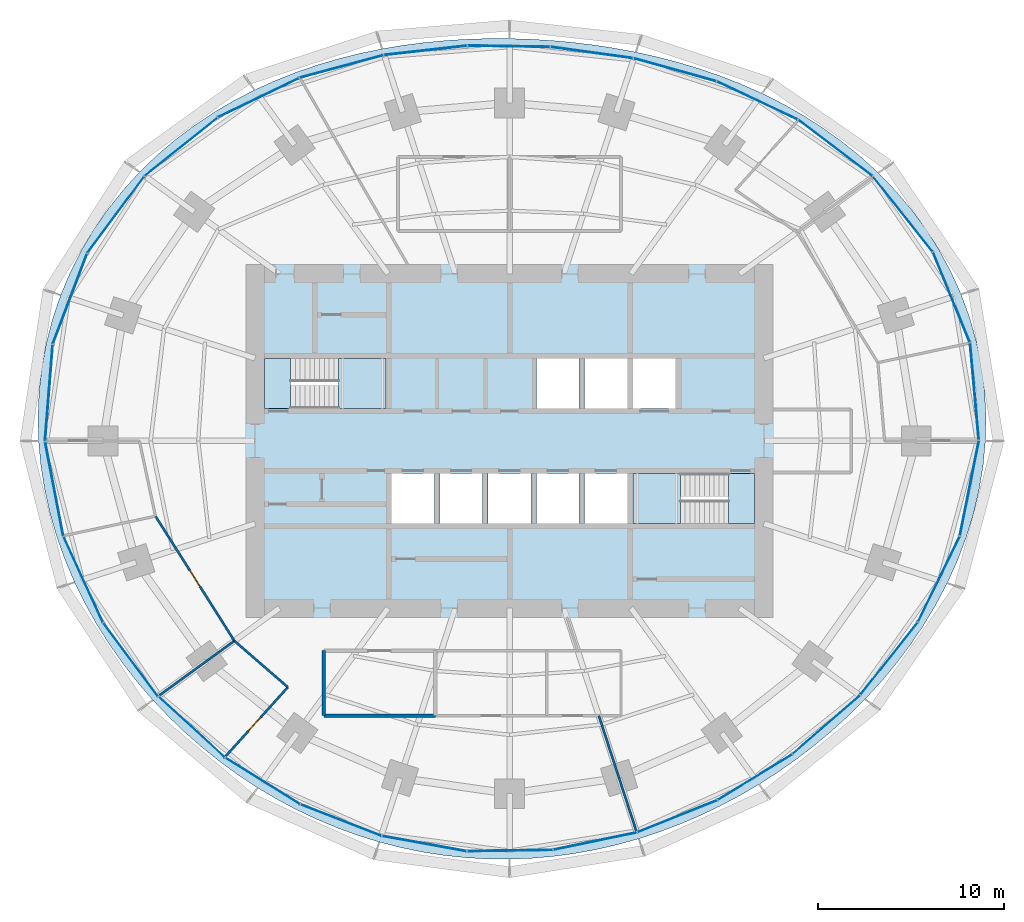
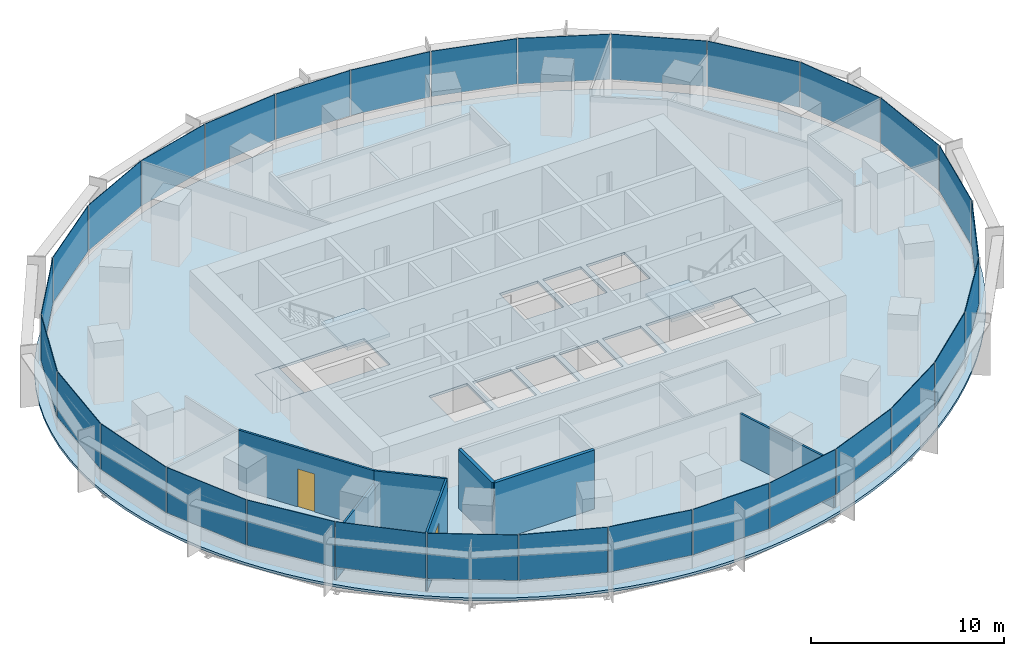
# One storey, part 9 of 14: 30 plates, 7 walls, 5 slabs, 2 doors, 2 openings, 8 elements without a shape of their own.
"""IFC4 building model written with IfcOpenShell, lengths in metres."""

from ifc_helpers import new_model, si_unit, direction, frame, frame_2d, origin, origin_2d, place, context, subcontext, project, spatial, polyline, rectangle, outline, extrude, material, layer, layer_set, type_object, element, fill, aggregate, save


model = new_model("IFC4")

# Units and contexts
model_context = context("Model", 3, precision=1e-05, world=origin(), true_north=direction((0.0, 1.0)))
body_context = subcontext(model_context, "Body", "Model", "MODEL_VIEW")
ifc_project = project(units=[si_unit("LENGTHUNIT", "METRE"), si_unit("AREAUNIT", "SQUARE_METRE"), si_unit("VOLUMEUNIT", "CUBIC_METRE"), si_unit("PLANEANGLEUNIT", "RADIAN"), si_unit("MASSUNIT", "GRAM", prefix="KILO")], contexts=[model_context])

# Site, building, storey
site_placement = place(None, origin())
site = spatial("IfcSite", under=ifc_project, at=site_placement, CompositionType="ELEMENT")
building_placement = place(site_placement, origin())
building = spatial("IfcBuilding", under=site, at=building_placement, Name="Marramba Exchange Tower", CompositionType="ELEMENT")
storey_placement = place(building_placement, frame((0.0, 0.0, 96.300048828125)))
storey = spatial("IfcBuildingStorey", under=building, at=storey_placement, Name="L22", CompositionType="ELEMENT", Elevation=96.300048828125)

# Slab
ifc_material_1 = material(Name="Concrete N40", Category="concrete")
ifc_layer_1 = layer(ifc_material_1, 0.159912109375)
ifc_layer_set_1 = layer_set([ifc_layer_1], Name="Composite floor slab 160")
slab_type_1 = type_object("IfcSlabType", Name="Composite floor slab 160", PredefinedType="FLOOR", material=ifc_layer_set_1)
slab_1_placement = place(storey_placement, frame((0.0, 0.0, -0.16015625)))
element("IfcSlab", 1, at=slab_1_placement, inside=storey, type_object=slab_type_1, Name="Floor slab L22", PredefinedType="FLOOR", context=body_context, shape_type="SweptSolid", body=[
    extrude(outline(polyline([(25.632080078125, 0.0), (25.66064453125, 1.3447265625), (25.59033203125, 2.689697265625), (25.420166015625, 4.026123046875), (25.15087890625, 5.345947265625), (24.7841796875, 6.640869140625), (24.322998046875, 7.903076171875), (23.771484375, 9.125), (23.135009765625, 10.30029296875), (22.419677734375, 11.42333984375), (21.632080078125, 12.4892578125), (20.779541015625, 13.494384765625), (19.869384765625, 14.43603515625), (18.9091796875, 15.3125), (17.90625, 16.122802734375), (16.86767578125, 16.86767578125), (15.800048828125, 17.5478515625), (14.70947265625, 18.164794921875), (13.6015625, 18.720947265625), (12.48095703125, 19.218994140625), (11.3515625, 19.66162109375), (10.217041015625, 20.05224609375), (9.079833984375, 20.393798828125), (7.94189453125, 20.689453125), (6.804443359375, 20.942138671875), (5.668212890625, 21.154296875), (4.533447265625, 21.328369140625), (3.39990234375, 21.46630859375), (2.26708984375, 21.5693359375), (1.134033203125, 21.63818359375), (0.0, 21.673095703125), (-1.135986328125, 21.673828125), (-2.2744140625, 21.6396484375), (-3.416259765625, 21.5693359375), (-4.5615234375, 21.460693359375), (-5.71044921875, 21.31201171875), (-6.8623046875, 21.1201171875), (-8.01611328125, 20.8828125), (-9.170166015625, 20.5966796875), (-10.322509765625, 20.2587890625), (-11.4697265625, 19.8662109375), (-12.60888671875, 19.415771484375), (-13.7353515625, 18.905029296875), (-14.8447265625, 18.331787109375), (-15.931640625, 17.69384765625), (-16.989990234375, 16.989990234375), (-18.013916015625, 16.2197265625), (-18.996826171875, 15.38330078125), (-19.931884765625, 14.4814453125), (-20.8125, 13.515869140625), (-21.632080078125, 12.4892578125), (-22.384033203125, 11.4052734375), (-23.0625, 10.26806640625), (-23.661865234375, 9.0830078125), (-24.177734375, 7.855712890625), (-24.605712890625, 6.593017578125), (-24.943603515625, 5.302001953125), (-25.18896484375, 3.989501953125), (-25.341064453125, 2.663330078125), (-25.400390625, 1.3310546875), (-25.367919921875, 0.0), (-25.246337890625, -1.322998046875), (-25.038818359375, -2.631591796875), (-24.748779296875, -3.919921875), (-24.381103515625, -5.182373046875), (-23.940185546875, -6.414794921875), (-23.431396484375, -7.61328125), (-22.859130859375, -8.77490234375), (-22.22900390625, -9.89697265625), (-21.545166015625, -10.977783203125), (-20.81201171875, -12.015869140625), (-20.033935546875, -13.010009765625), (-19.2138671875, -13.959716796875), (-18.35546875, -14.86376953125), (-17.461181640625, -15.72216796875), (-16.53369140625, -16.53369140625), (-15.5751953125, -17.298095703125), (-14.587646484375, -18.014404296875), (-13.5732421875, -18.681884765625), (-12.533203125, -19.299560546875), (-11.4697265625, -19.8662109375), (-10.384765625, -20.381103515625), (-9.27978515625, -20.8427734375), (-8.157470703125, -21.250732421875), (-7.019287109375, -21.603271484375), (-5.8681640625, -21.900146484375), (-4.7060546875, -22.14013671875), (-3.53564453125, -22.322998046875), (-2.359375, -22.448486328125), (-1.179931640625, -22.516357421875), (0.0, -22.52685546875), (1.17822265625, -22.480712890625), (2.35205078125, -22.3779296875), (3.519287109375, -22.22021484375), (4.677978515625, -22.0078125), (5.825927734375, -21.742431640625), (6.96142578125, -21.425048828125), (8.0830078125, -21.05712890625), (9.189453125, -20.639892578125), (10.279296875, -20.17431640625), (11.3515625, -19.66162109375), (12.4052734375, -19.1025390625), (13.439453125, -18.497802734375), (14.45263671875, -17.847412109375), (15.44384765625, -17.152099609375), (16.411376953125, -16.411376953125), (17.353515625, -15.625244140625), (18.267822265625, -14.79296875), (19.1513671875, -13.914306640625), (20.000732421875, -12.98876953125), (20.81201171875, -12.015869140625), (21.580810546875, -10.995849609375), (22.301513671875, -9.92919921875), (22.96875, -8.81689453125), (23.57666015625, -7.660400390625), (24.11865234375, -6.462646484375), (24.588623046875, -5.2265625), (24.980224609375, -3.95654296875), (25.2880859375, -2.657958984375), (25.5068359375, -1.336669921875), (25.632080078125, 0.0)]), holes=[polyline([(1.449951171875, 1.75), (3.75, 1.75), (3.75, 4.449951171875), (1.449951171875, 4.449951171875), (1.449951171875, 1.75)]), polyline([(4.050048828125, 1.75), (6.35009765625, 1.75), (6.35009765625, 4.449951171875), (4.050048828125, 4.449951171875), (4.050048828125, 1.75)]), polyline([(-6.35009765625, -4.449951171875), (-4.050048828125, -4.449951171875), (-4.050048828125, -1.75), (-6.35009765625, -1.75), (-6.35009765625, -4.449951171875)]), polyline([(-3.75, -4.449951171875), (-1.449951171875, -4.449951171875), (-1.449951171875, -1.75), (-3.75, -1.75), (-3.75, -4.449951171875)]), polyline([(-1.14990234375, -4.449951171875), (1.14990234375, -4.449951171875), (1.14990234375, -1.75), (-1.14990234375, -1.75), (-1.14990234375, -4.449951171875)]), polyline([(1.449951171875, -4.449951171875), (3.75, -4.449951171875), (3.75, -1.75), (1.449951171875, -1.75), (1.449951171875, -4.449951171875)]), polyline([(4.050048828125, -4.449951171875), (6.35009765625, -4.449951171875), (6.35009765625, -1.75), (4.050048828125, -1.75), (4.050048828125, -4.449951171875)]), polyline([(6.64990234375, 1.75), (8.949951171875, 1.75), (8.949951171875, 4.449951171875), (6.64990234375, 4.449951171875), (6.64990234375, 1.75)]), polyline([(-13.199951171875, 1.75), (-6.64990234375, 1.75), (-6.64990234375, 4.449951171875), (-13.199951171875, 4.449951171875), (-13.199951171875, 1.75)]), polyline([(6.64990234375, -4.449951171875), (13.199951171875, -4.449951171875), (13.199951171875, -1.75), (6.64990234375, -1.75), (6.64990234375, -4.449951171875)])]), origin(), (0.0, 0.0, 1.0), 0.16015625),
])

# Curtain wall, plates
ifc_material_2 = material(Name="Aluminium framing, bronze anodised", Category="aluminium")
curtain_wall_type = type_object("IfcCurtainWallType", Name="Office ribbon curtain wall", PredefinedType="USERDEFINED", material=ifc_material_2)
curtain_wall_1_placement = place(storey_placement, origin())
curtain_wall_1 = element("IfcCurtainWall", 2, at=curtain_wall_1_placement, inside=storey, type_object=curtain_wall_type, Name="Curtain wall CW4 L22 F01-F05", ObjectType="RIBBON CURTAIN WALL", PredefinedType="USERDEFINED")
ifc_material_3 = material(Name="Laminated double glazed unit 10.76 + 16 + 10.76, bronze tinted", Category="glass")
ifc_layer_2 = layer(ifc_material_3, 0.03759765625)
ifc_layer_set_2 = layer_set([ifc_layer_2], Name="Office ribbon curtain wall panel")
plate_type = type_object("IfcPlateType", Name="Office ribbon curtain wall panel", PredefinedType="CURTAIN_PANEL", material=ifc_layer_set_2)
plate_1_placement = place(storey_placement, frame((25.042724609375, 2.66650390625, 0.860107421875), z_axis=(0.0, 0.0, 1.0), x_axis=(-0.089412887889, 0.995994646311, 0.0)))
plate_1 = element("IfcPlate", 3, at=plate_1_placement, type_object=plate_type, Name="CW4 vision panel", PredefinedType="CURTAIN_PANEL", context=body_context, shape_type="SweptSolid", body=[
    extrude(rectangle(XDim=5.234375, YDim=0.03759765625, at=origin_2d()), origin(), (0.0, 0.0, 1.0), 2.8798828125),
])
plate_2_placement = place(storey_placement, frame((23.800537109375, 7.743408203125, 0.860107421875), z_axis=(0.0, 0.0, 1.0), x_axis=(-0.377821183171, 0.925878584668, 0.0)))
plate_2 = element("IfcPlate", 4, at=plate_2_placement, type_object=plate_type, Name="CW4 vision panel", PredefinedType="CURTAIN_PANEL", context=body_context, shape_type="SweptSolid", body=[
    extrude(rectangle(XDim=5.2158203125, YDim=0.03759765625, at=origin_2d()), origin(), (0.0, 0.0, 1.0), 2.8798828125),
])
plate_3_placement = place(storey_placement, frame((21.18212890625, 12.217529296875, 0.860107421875), z_axis=(0.0, 0.0, 1.0), x_axis=(-0.621312004611, 0.783563266703, 0.0)))
plate_3 = element("IfcPlate", 5, at=plate_3_placement, type_object=plate_type, Name="CW4 vision panel", PredefinedType="CURTAIN_PANEL", context=body_context, shape_type="SweptSolid", body=[
    extrude(rectangle(XDim=5.136962890625, YDim=0.03759765625, at=origin_2d()), origin(), (0.0, 0.0, 1.0), 2.8798828125),
])
plate_4_placement = place(storey_placement, frame((17.55224609375, 15.777099609375, 0.860107421875), z_axis=(0.0, 0.0, 1.0), x_axis=(-0.795971748366, 0.60533377223, 0.0)))
plate_4 = element("IfcPlate", 6, at=plate_4_placement, type_object=plate_type, Name="CW4 vision panel", PredefinedType="CURTAIN_PANEL", context=body_context, shape_type="SweptSolid", body=[
    extrude(rectangle(XDim=4.990966796875, YDim=0.03759765625, at=origin_2d()), origin(), (0.0, 0.0, 1.0), 2.8798828125),
])
plate_5_placement = place(storey_placement, frame((13.34423828125, 18.3359375, 0.860107421875), z_axis=(0.0, 0.0, 1.0), x_axis=(-0.904403137485, 0.426678995157, 0.0)))
plate_5 = element("IfcPlate", 7, at=plate_5_placement, type_object=plate_type, Name="CW4 vision panel", PredefinedType="CURTAIN_PANEL", context=body_context, shape_type="SweptSolid", body=[
    extrude(rectangle(XDim=4.793212890625, YDim=0.03759765625, at=origin_2d()), origin(), (0.0, 0.0, 1.0), 2.8798828125),
])
aggregate(curtain_wall_1, [plate_1, plate_2, plate_3, plate_4, plate_5])

curtain_wall_2_placement = place(storey_placement, origin())
curtain_wall_2 = element("IfcCurtainWall", 8, at=curtain_wall_2_placement, inside=storey, type_object=curtain_wall_type, Name="Curtain wall CW4 L22 F06-F10", ObjectType="RIBBON CURTAIN WALL", PredefinedType="USERDEFINED")
plate_6_placement = place(storey_placement, frame((8.907470703125, 19.991943359375, 0.860107421875), z_axis=(0.0, 0.0, 1.0), x_axis=(-0.963177845956, 0.268865090816, 0.0)))
plate_6 = element("IfcPlate", 9, at=plate_6_placement, type_object=plate_type, Name="CW4 vision panel", PredefinedType="CURTAIN_PANEL", context=body_context, shape_type="SweptSolid", body=[
    extrude(rectangle(XDim=4.591552734375, YDim=0.03759765625, at=origin_2d()), origin(), (0.0, 0.0, 1.0), 2.8798828125),
])
plate_7_placement = place(storey_placement, frame((4.43359375, 20.919189453125, 0.860107421875), z_axis=(0.0, 0.0, 1.0), x_axis=(-0.990738212841, 0.135785837319, 0.0)))
plate_7 = element("IfcPlate", 10, at=plate_7_placement, type_object=plate_type, Name="CW4 vision panel", PredefinedType="CURTAIN_PANEL", context=body_context, shape_type="SweptSolid", body=[
    extrude(rectangle(XDim=4.447509765625, YDim=0.03759765625, at=origin_2d()), origin(), (0.0, 0.0, 1.0), 2.8798828125),
])
plate_8_placement = place(storey_placement, frame((-0.03369140625, 21.2568359375, 0.860107421875), z_axis=(0.0, 0.0, 1.0), x_axis=(-0.999875869968, 0.01575578169, 0.0)))
plate_8 = element("IfcPlate", 11, at=plate_8_placement, type_object=plate_type, Name="CW4 vision panel", PredefinedType="CURTAIN_PANEL", context=body_context, shape_type="SweptSolid", body=[
    extrude(rectangle(XDim=4.408935546875, YDim=0.03759765625, at=origin_2d()), origin(), (0.0, 0.0, 1.0), 2.8798828125),
])
plate_9_placement = place(storey_placement, frame((-4.52587890625, 21.0361328125, 0.860107421875), z_axis=(0.0, 0.0, 1.0), x_axis=(-0.993823395532, -0.110973233233, 0.0)))
plate_9 = element("IfcPlate", 12, at=plate_9_placement, type_object=plate_type, Name="CW4 vision panel", PredefinedType="CURTAIN_PANEL", context=body_context, shape_type="SweptSolid", body=[
    extrude(rectangle(XDim=4.484375, YDim=0.03759765625, at=origin_2d()), origin(), (0.0, 0.0, 1.0), 2.8798828125),
])
plate_10_placement = place(storey_placement, frame((-9.053466796875, 20.16748046875, 0.860107421875), z_axis=(0.0, 0.0, 1.0), x_axis=(-0.965522047176, -0.260321294588, 0.0)))
plate_10 = element("IfcPlate", 13, at=plate_10_placement, type_object=plate_type, Name="CW4 vision panel", PredefinedType="CURTAIN_PANEL", context=body_context, shape_type="SweptSolid", body=[
    extrude(rectangle(XDim=4.642578125, YDim=0.03759765625, at=origin_2d()), origin(), (0.0, 0.0, 1.0), 2.8798828125),
])
aggregate(curtain_wall_2, [plate_6, plate_7, plate_8, plate_9, plate_10])

curtain_wall_3_placement = place(storey_placement, origin())
curtain_wall_3 = element("IfcCurtainWall", 14, at=curtain_wall_3_placement, inside=storey, type_object=curtain_wall_type, Name="Curtain wall CW4 L22 F11-F15", ObjectType="RIBBON CURTAIN WALL", PredefinedType="USERDEFINED")
plate_11_placement = place(storey_placement, frame((-13.52294921875, 18.4853515625, 0.860107421875), z_axis=(0.0, 0.0, 1.0), x_axis=(-0.900223739881, -0.435427626771, 0.0)))
plate_11 = element("IfcPlate", 15, at=plate_11_placement, type_object=plate_type, Name="CW4 vision panel", PredefinedType="CURTAIN_PANEL", context=body_context, shape_type="SweptSolid", body=[
    extrude(rectangle(XDim=4.83056640625, YDim=0.03759765625, at=origin_2d()), origin(), (0.0, 0.0, 1.0), 2.8798828125),
])
plate_12_placement = place(storey_placement, frame((-17.696533203125, 15.8359375, 0.860107421875), z_axis=(0.0, 0.0, 1.0), x_axis=(-0.78117833008, -0.624307950145, 0.0)))
plate_12 = element("IfcPlate", 16, at=plate_12_placement, type_object=plate_type, Name="CW4 vision panel", PredefinedType="CURTAIN_PANEL", context=body_context, shape_type="SweptSolid", body=[
    extrude(rectangle(XDim=4.998291015625, YDim=0.03759765625, at=origin_2d()), origin(), (0.0, 0.0, 1.0), 2.8798828125),
])
plate_13_placement = place(storey_placement, frame((-21.213623046875, 12.1767578125, 0.860107421875), z_axis=(0.0, 0.0, 1.0), x_axis=(-0.597703997504, -0.80171686484, 0.0)))
plate_13 = element("IfcPlate", 17, at=plate_13_placement, type_object=plate_type, Name="CW4 vision panel", PredefinedType="CURTAIN_PANEL", context=body_context, shape_type="SweptSolid", body=[
    extrude(rectangle(XDim=5.116455078125, YDim=0.03759765625, at=origin_2d()), origin(), (0.0, 0.0, 1.0), 2.8798828125),
])
plate_14_placement = place(storey_placement, frame((-23.6826171875, 7.6494140625, 0.860107421875), z_axis=(0.0, 0.0, 1.0), x_axis=(-0.354844468484, -0.934925346317, 0.0)))
plate_14 = element("IfcPlate", 18, at=plate_14_placement, type_object=plate_type, Name="CW4 vision panel", PredefinedType="CURTAIN_PANEL", context=body_context, shape_type="SweptSolid", body=[
    extrude(rectangle(XDim=5.177490234375, YDim=0.03759765625, at=origin_2d()), origin(), (0.0, 0.0, 1.0), 2.8798828125),
])
plate_15_placement = place(storey_placement, frame((-24.81201171875, 2.584716796875, 0.860107421875), z_axis=(0.0, 0.0, 1.0), x_axis=(-0.079459696383, -0.996838079455, 0.0)))
plate_15 = element("IfcPlate", 19, at=plate_15_placement, type_object=plate_type, Name="CW4 vision panel", PredefinedType="CURTAIN_PANEL", context=body_context, shape_type="SweptSolid", body=[
    extrude(rectangle(XDim=5.185791015625, YDim=0.03759765625, at=origin_2d()), origin(), (0.0, 0.0, 1.0), 2.8798828125),
])
aggregate(curtain_wall_3, [plate_11, plate_12, plate_13, plate_14, plate_15])

curtain_wall_4_placement = place(storey_placement, origin())
curtain_wall_4 = element("IfcCurtainWall", 20, at=curtain_wall_4_placement, inside=storey, type_object=curtain_wall_type, Name="Curtain wall CW4 L22 F16-F20", ObjectType="RIBBON CURTAIN WALL", PredefinedType="USERDEFINED")
plate_16_placement = place(storey_placement, frame((-24.522705078125, -2.584228515625, 0.860107421875), z_axis=(0.0, 0.0, 1.0), x_axis=(0.18822721487, -0.982125509078, 0.0)))
plate_16 = element("IfcPlate", 21, at=plate_16_placement, type_object=plate_type, Name="CW4 vision panel", PredefinedType="CURTAIN_PANEL", context=body_context, shape_type="SweptSolid", body=[
    extrude(rectangle(XDim=5.142578125, YDim=0.03759765625, at=origin_2d()), origin(), (0.0, 0.0, 1.0), 2.8798828125),
])
plate_17_placement = place(storey_placement, frame((-22.96142578125, -7.45947265625, 0.860107421875), z_axis=(0.0, 0.0, 1.0), x_axis=(0.416737848929, -0.909026713177, 0.0)))
plate_17 = element("IfcPlate", 22, at=plate_17_placement, type_object=plate_type, Name="CW4 vision panel", PredefinedType="CURTAIN_PANEL", context=body_context, shape_type="SweptSolid", body=[
    extrude(rectangle(XDim=5.0498046875, YDim=0.03759765625, at=origin_2d()), origin(), (0.0, 0.0, 1.0), 2.8798828125),
])
plate_18_placement = place(storey_placement, frame((-20.402099609375, -11.7783203125, 0.860107421875), z_axis=(0.0, 0.0, 1.0), x_axis=(0.597304697033, -0.802014400683, 0.0)))
plate_18 = element("IfcPlate", 23, at=plate_18_placement, type_object=plate_type, Name="CW4 vision panel", PredefinedType="CURTAIN_PANEL", context=body_context, shape_type="SweptSolid", body=[
    extrude(rectangle(XDim=4.926513671875, YDim=0.03759765625, at=origin_2d()), origin(), (0.0, 0.0, 1.0), 2.8798828125),
])
plate_19_placement = place(storey_placement, frame((-17.11376953125, -15.416259765625, 0.860107421875), z_axis=(0.0, 0.0, 1.0), x_axis=(0.737821886077, -0.674995455115, 0.0)))
plate_19 = element("IfcPlate", 24, at=plate_19_placement, type_object=plate_type, Name="CW4 vision panel", PredefinedType="CURTAIN_PANEL", context=body_context, shape_type="SweptSolid", body=[
    extrude(rectangle(XDim=4.80517578125, YDim=0.03759765625, at=origin_2d()), origin(), (0.0, 0.0, 1.0), 2.8798828125),
])
plate_20_placement = place(storey_placement, frame((-13.29248046875, -18.31640625, 0.860107421875), z_axis=(0.0, 0.0, 1.0), x_axis=(0.84835459748, -0.52942844364, 0.0)))
plate_20 = element("IfcPlate", 25, at=plate_20_placement, type_object=plate_type, Name="CW4 vision panel", PredefinedType="CURTAIN_PANEL", context=body_context, shape_type="SweptSolid", body=[
    extrude(rectangle(XDim=4.70947265625, YDim=0.03759765625, at=origin_2d()), origin(), (0.0, 0.0, 1.0), 2.8798828125),
])
aggregate(curtain_wall_4, [plate_16, plate_17, plate_18, plate_19, plate_20])

curtain_wall_5_placement = place(storey_placement, origin())
curtain_wall_5 = element("IfcCurtainWall", 26, at=curtain_wall_5_placement, inside=storey, type_object=curtain_wall_type, Name="Curtain wall CW4 L22 F21-F25", ObjectType="RIBBON CURTAIN WALL", PredefinedType="USERDEFINED")
plate_21_placement = place(storey_placement, frame((-9.074951171875, -20.427734375, 0.860107421875), z_axis=(0.0, 0.0, 1.0), x_axis=(0.931818390344, -0.36292490603, 0.0)))
plate_21 = element("IfcPlate", 27, at=plate_21_placement, type_object=plate_type, Name="CW4 vision panel", PredefinedType="CURTAIN_PANEL", context=body_context, shape_type="SweptSolid", body=[
    extrude(rectangle(XDim=4.644287109375, YDim=0.03759765625, at=origin_2d()), origin(), (0.0, 0.0, 1.0), 2.8798828125),
])
plate_22_placement = place(storey_placement, frame((-4.58740234375, -21.690673828125, 0.860107421875), z_axis=(0.0, 0.0, 1.0), x_axis=(0.984031865834, -0.177992379115, 0.0)))
plate_22 = element("IfcPlate", 28, at=plate_22_placement, type_object=plate_type, Name="CW4 vision panel", PredefinedType="CURTAIN_PANEL", context=body_context, shape_type="SweptSolid", body=[
    extrude(rectangle(XDim=4.602783203125, YDim=0.03759765625, at=origin_2d()), origin(), (0.0, 0.0, 1.0), 2.8798828125),
])
plate_23_placement = place(storey_placement, frame((0.0263671875, -22.064697265625, 0.860107421875), z_axis=(0.0, 0.0, 1.0), x_axis=(0.999884797709, 0.015178646521, 0.0)))
plate_23 = element("IfcPlate", 29, at=plate_23_placement, type_object=plate_type, Name="CW4 vision panel", PredefinedType="CURTAIN_PANEL", context=body_context, shape_type="SweptSolid", body=[
    extrude(rectangle(XDim=4.578857421875, YDim=0.03759765625, at=origin_2d()), origin(), (0.0, 0.0, 1.0), 2.8798828125),
])
plate_24_placement = place(storey_placement, frame((4.61376953125, -21.554931640625, 0.860107421875), z_axis=(0.0, 0.0, 1.0), x_axis=(0.979310199794, 0.202364850159, 0.0)))
plate_24 = element("IfcPlate", 30, at=plate_24_placement, type_object=plate_type, Name="CW4 vision panel", PredefinedType="CURTAIN_PANEL", context=body_context, shape_type="SweptSolid", body=[
    extrude(rectangle(XDim=4.57373046875, YDim=0.03759765625, at=origin_2d()), origin(), (0.0, 0.0, 1.0), 2.8798828125),
])
plate_25_placement = place(storey_placement, frame((9.042724609375, -20.214111328125, 0.860107421875), z_axis=(0.0, 0.0, 1.0), x_axis=(0.928148916059, 0.372209067082, 0.0)))
plate_25 = element("IfcPlate", 31, at=plate_25_placement, type_object=plate_type, Name="CW4 vision panel", PredefinedType="CURTAIN_PANEL", context=body_context, shape_type="SweptSolid", body=[
    extrude(rectangle(XDim=4.59814453125, YDim=0.03759765625, at=origin_2d()), origin(), (0.0, 0.0, 1.0), 2.8798828125),
])
aggregate(curtain_wall_5, [plate_21, plate_22, plate_23, plate_24, plate_25])

curtain_wall_6_placement = place(storey_placement, origin())
curtain_wall_6 = element("IfcCurtainWall", 32, at=curtain_wall_6_placement, inside=storey, type_object=curtain_wall_type, Name="Curtain wall CW4 L22 F26-F30", ObjectType="RIBBON CURTAIN WALL", PredefinedType="USERDEFINED")
plate_26_placement = place(storey_placement, frame((13.21875, -18.109619140625, 0.860107421875), z_axis=(0.0, 0.0, 1.0), x_axis=(0.853109114492, 0.521732535664, 0.0)))
plate_26 = element("IfcPlate", 33, at=plate_26_placement, type_object=plate_type, Name="CW4 vision panel", PredefinedType="CURTAIN_PANEL", context=body_context, shape_type="SweptSolid", body=[
    extrude(rectangle(XDim=4.66748046875, YDim=0.03759765625, at=origin_2d()), origin(), (0.0, 0.0, 1.0), 2.8798828125),
])
plate_27_placement = place(storey_placement, frame((17.0615234375, -15.280517578125, 0.860107421875), z_axis=(0.0, 0.0, 1.0), x_axis=(0.754385506384, 0.656431647438, 0.0)))
plate_27 = element("IfcPlate", 34, at=plate_27_placement, type_object=plate_type, Name="CW4 vision panel", PredefinedType="CURTAIN_PANEL", context=body_context, shape_type="SweptSolid", body=[
    extrude(rectangle(XDim=4.789794921875, YDim=0.03759765625, at=origin_2d()), origin(), (0.0, 0.0, 1.0), 2.8798828125),
])
plate_28_placement = place(storey_placement, frame((20.443603515625, -11.724365234375, 0.860107421875), z_axis=(0.0, 0.0, 1.0), x_axis=(0.621807472329, 0.783170139469, 0.0)))
plate_28 = element("IfcPlate", 35, at=plate_28_placement, type_object=plate_type, Name="CW4 vision panel", PredefinedType="CURTAIN_PANEL", context=body_context, shape_type="SweptSolid", body=[
    extrude(rectangle(XDim=4.947265625, YDim=0.03759765625, at=origin_2d()), origin(), (0.0, 0.0, 1.0), 2.8798828125),
])
plate_29_placement = place(storey_placement, frame((23.127197265625, -7.443359375, 0.860107421875), z_axis=(0.0, 0.0, 1.0), x_axis=(0.439086342308, 0.89844486976, 0.0)))
plate_29 = element("IfcPlate", 36, at=plate_29_placement, type_object=plate_type, Name="CW4 vision panel", PredefinedType="CURTAIN_PANEL", context=body_context, shape_type="SweptSolid", body=[
    extrude(rectangle(XDim=5.096923828125, YDim=0.03759765625, at=origin_2d()), origin(), (0.0, 0.0, 1.0), 2.8798828125),
])
plate_30_placement = place(storey_placement, frame((24.77001953125, -2.54736328125, 0.860107421875), z_axis=(0.0, 0.0, 1.0), x_axis=(0.197048511267, 0.980393739376, 0.0)))
plate_30 = element("IfcPlate", 37, at=plate_30_placement, type_object=plate_type, Name="CW4 vision panel", PredefinedType="CURTAIN_PANEL", context=body_context, shape_type="SweptSolid", body=[
    extrude(rectangle(XDim=5.19677734375, YDim=0.03759765625, at=origin_2d()), origin(), (0.0, 0.0, 1.0), 2.8798828125),
])
aggregate(curtain_wall_6, [plate_26, plate_27, plate_28, plate_29, plate_30])

# Stair, slabs
ifc_material_4 = material(Name="Concrete N40 (40 MPa)", Category="concrete")
stair_type_1 = type_object("IfcStairType", Name="Exit stair ST1 3900 x 1250", PredefinedType="HALF_TURN_STAIR", material=ifc_material_4)
stair_1_placement = place(storey_placement, origin())
stair_1 = element("IfcStair", 38, at=stair_1_placement, inside=storey, type_object=stair_type_1, Name="Exit stair ST1 L22", PredefinedType="HALF_TURN_STAIR")
ifc_layer_3 = layer(ifc_material_4, 0.199951171875)
ifc_layer_set_3 = layer_set([ifc_layer_3], Name="Stair landing 200")
slab_type_2 = type_object("IfcSlabType", Name="Stair landing 200", PredefinedType="LANDING", material=ifc_layer_set_3)
slab_2_placement = place(storey_placement, frame((0.0, 0.0, -0.199951171875)))
slab_2 = element("IfcSlab", 39, at=slab_2_placement, type_object=slab_type_2, Name="ST1 landing 1", PredefinedType="LANDING", context=body_context, shape_type="SweptSolid", body=[
    extrude(outline(polyline([(-13.199951171875, 1.75), (-11.800048828125, 1.75), (-11.800048828125, 4.449951171875), (-13.199951171875, 4.449951171875), (-13.199951171875, 1.75)])), origin(), (0.0, 0.0, 1.0), 0.199951171875),
])
slab_3_placement = place(storey_placement, frame((0.0, 0.0, 1.75)))
slab_3 = element("IfcSlab", 40, at=slab_3_placement, type_object=slab_type_2, Name="ST1 landing 2", PredefinedType="LANDING", context=body_context, shape_type="SweptSolid", body=[
    extrude(outline(polyline([(-9.199951171875, 1.75), (-6.64990234375, 1.75), (-6.64990234375, 4.449951171875), (-9.199951171875, 4.449951171875), (-9.199951171875, 1.75)])), origin(), (0.0, 0.0, 1.0), 0.199951171875),
])
aggregate(stair_1, [slab_2, slab_3])

stair_type_2 = type_object("IfcStairType", Name="Exit stair ST2 3900 x 1250", PredefinedType="HALF_TURN_STAIR", material=ifc_material_4)
stair_2_placement = place(storey_placement, origin())
stair_2 = element("IfcStair", 41, at=stair_2_placement, inside=storey, type_object=stair_type_2, Name="Exit stair ST2 L22", PredefinedType="HALF_TURN_STAIR")
slab_4_placement = place(storey_placement, frame((0.0, 0.0, -0.199951171875)))
slab_4 = element("IfcSlab", 42, at=slab_4_placement, type_object=slab_type_2, Name="ST2 landing 1", PredefinedType="LANDING", context=body_context, shape_type="SweptSolid", body=[
    extrude(outline(polyline([(11.800048828125, -4.449951171875), (13.199951171875, -4.449951171875), (13.199951171875, -1.75), (11.800048828125, -1.75), (11.800048828125, -4.449951171875)])), origin(), (0.0, 0.0, 1.0), 0.199951171875),
])
slab_5_placement = place(storey_placement, frame((0.0, 0.0, 1.75)))
slab_5 = element("IfcSlab", 43, at=slab_5_placement, type_object=slab_type_2, Name="ST2 landing 2", PredefinedType="LANDING", context=body_context, shape_type="SweptSolid", body=[
    extrude(outline(polyline([(6.64990234375, -4.449951171875), (9.199951171875, -4.449951171875), (9.199951171875, -1.75), (6.64990234375, -1.75), (6.64990234375, -4.449951171875)])), origin(), (0.0, 0.0, 1.0), 0.199951171875),
])
aggregate(stair_2, [slab_4, slab_5])

# Walls
ifc_material_5 = material(Name="Core-filled concrete blockwork, rendered", Category="masonry")
ifc_layer_4 = layer(ifc_material_5, 0.18994140625)
ifc_layer_set_4 = layer_set([ifc_layer_4], Name="Equipment room wall 190")
wall_type_1 = type_object("IfcWallType", Name="Equipment room wall 190", PredefinedType="SOLIDWALL", material=ifc_layer_set_4)
wall_1_placement = place(storey_placement, frame((-10.0, -11.300048828125, 0.0), z_axis=(0.0, 0.0, 1.0), x_axis=(0.0, -1.0, 0.0)))
element("IfcWall", 44, at=wall_1_placement, inside=storey, type_object=wall_type_1, Name="Equipment room wall L22 07", PredefinedType="SOLIDWALL", context=body_context, shape_type="SweptSolid", body=[
    extrude(rectangle(XDim=3.5, YDim=0.18994140625, at=frame_2d((1.75, 0.0))), origin(), (0.0, 0.0, 1.0), 3.739990234375),
])
wall_2_placement = place(storey_placement, frame((-10.0, -14.800048828125, 0.0), z_axis=(0.0, 0.0, 1.0), x_axis=(1.0, 0.0, 0.0)))
element("IfcWall", 45, at=wall_2_placement, inside=storey, type_object=wall_type_1, Name="Equipment room wall L22 09", PredefinedType="SOLIDWALL", context=body_context, shape_type="SweptSolid", body=[
    extrude(rectangle(XDim=6.0, YDim=0.18994140625, at=frame_2d((3.0, 0.0))), origin(), (0.0, 0.0, 1.0), 3.739990234375),
])

# Wall, opening, door
ifc_material_6 = material(Name="Plasterboard on steel studs", Category="steel")
ifc_layer_5 = layer(ifc_material_6, 0.1201171875)
ifc_layer_set_5 = layer_set([ifc_layer_5], Name="Partition 120")
wall_type_2 = type_object("IfcWallType", Name="Partition 120", PredefinedType="PARTITIONING", material=ifc_layer_set_5)
wall_3_placement = place(storey_placement, frame((-14.82080078125, -10.76806640625, 0.0), z_axis=(0.0, 0.0, 1.0), x_axis=(-0.534710673456, 0.845035203818, 0.0)))
wall_3 = element("IfcWall", 46, at=wall_3_placement, inside=storey, type_object=wall_type_2, Name="Partition L22 03", PredefinedType="PARTITIONING", context=body_context, shape_type="SweptSolid", body=[
    extrude(rectangle(XDim=7.946044921875, YDim=0.1201171875, at=frame_2d((3.97314453125, 0.0))), origin(), (0.0, 0.0, 1.0), 3.739990234375),
])
opening_1_placement = place(wall_3_placement, frame((3.472900390625, 0.0, 0.0)))
opening_1 = element("IfcOpeningElement", 47, at=opening_1_placement, cuts=wall_3, Name="Opening D9", PredefinedType="OPENING", context=body_context, shape_type="SweptSolid", body=[
    extrude(rectangle(XDim=1.0, YDim=2.39990234375, at=frame_2d((0.5, 1.199951171875))), frame((0.0, 0.070068359375, 0.0), z_axis=(0.0, -1.0, 0.0), x_axis=(1.0, 0.0, 0.0)), (0.0, 0.0, 1.0), 0.14013671875),
])
ifc_material_7 = material(Name="Timber door", Category="wood")
door_type = type_object("IfcDoorType", Name="Room door 1000x2400", OperationType="SINGLE_SWING_LEFT", PredefinedType="DOOR", material=ifc_material_7)
door_1_placement = place(opening_1_placement, origin())
door_1 = element("IfcDoor", 48, at=door_1_placement, inside=storey, type_object=door_type, Name="D9 Compliance Office 5 L22", OperationType="SINGLE_SWING_LEFT", OverallHeight=2.39990234375, OverallWidth=1.0, PredefinedType="DOOR", context=body_context, shape_type="SweptSolid", body=[
    extrude(rectangle(XDim=1.0, YDim=2.39990234375, at=frame_2d((0.5, 1.199951171875))), frame((0.0, 0.02490234375, 0.0), z_axis=(0.0, -1.0, 0.0), x_axis=(1.0, 0.0, 0.0)), (0.0, 0.0, 1.0), 0.050048828125),
])
fill(opening_1, door_1)

# Walls
wall_4_placement = place(storey_placement, frame((-14.82080078125, -10.76806640625, 0.0), z_axis=(0.0, 0.0, 1.0), x_axis=(-0.809042143657, -0.587750635718, 0.0)))
element("IfcWall", 49, at=wall_4_placement, inside=storey, type_object=wall_type_2, Name="Partition L22 04", PredefinedType="PARTITIONING", context=body_context, shape_type="SweptSolid", body=[
    extrude(rectangle(XDim=5.0, YDim=0.1201171875, at=frame_2d((2.5, 0.0))), origin(), (0.0, 0.0, 1.0), 2.93994140625),
])
wall_5_placement = place(storey_placement, frame((-11.94189453125, -13.2626953125, 0.0), z_axis=(0.0, 0.0, 1.0), x_axis=(-0.755744060509, 0.654867097208, 0.0)))
element("IfcWall", 50, at=wall_5_placement, inside=storey, type_object=wall_type_2, Name="Partition L22 05", PredefinedType="PARTITIONING", context=body_context, shape_type="SweptSolid", body=[
    extrude(rectangle(XDim=3.809326171875, YDim=0.1201171875, at=frame_2d((1.90478515625, 0.0))), origin(), (0.0, 0.0, 1.0), 3.739990234375),
])

# Wall, opening, door
wall_6_placement = place(storey_placement, frame((-15.28759765625, -16.978515625, 0.0), z_axis=(0.0, 0.0, 1.0), x_axis=(0.669126573551, 0.743148456614, 0.0)))
wall_6 = element("IfcWall", 51, at=wall_6_placement, inside=storey, type_object=wall_type_2, Name="Partition L22 06", PredefinedType="PARTITIONING", context=body_context, shape_type="SweptSolid", body=[
    extrude(rectangle(XDim=5.0, YDim=0.1201171875, at=frame_2d((2.5, 0.0))), origin(), (0.0, 0.0, 1.0), 3.739990234375),
])
opening_2_placement = place(wall_6_placement, frame((1.822021484375, 0.0, 0.0)))
opening_2 = element("IfcOpeningElement", 52, at=opening_2_placement, cuts=wall_6, Name="Opening D9", PredefinedType="OPENING", context=body_context, shape_type="SweptSolid", body=[
    extrude(rectangle(XDim=1.0, YDim=2.39990234375, at=frame_2d((0.5, 1.199951171875))), frame((0.0, 0.070068359375, 0.0), z_axis=(0.0, -1.0, 0.0), x_axis=(1.0, 0.0, 0.0)), (0.0, 0.0, 1.0), 0.14013671875),
])
door_2_placement = place(opening_2_placement, origin())
door_2 = element("IfcDoor", 53, at=door_2_placement, inside=storey, type_object=door_type, Name="D9 Compliance Office 6 L22", OperationType="SINGLE_SWING_LEFT", OverallHeight=2.39990234375, OverallWidth=1.0, PredefinedType="DOOR", context=body_context, shape_type="SweptSolid", body=[
    extrude(rectangle(XDim=1.0, YDim=2.39990234375, at=frame_2d((0.5, 1.199951171875))), frame((0.0, 0.02490234375, 0.0), z_axis=(0.0, -1.0, 0.0), x_axis=(1.0, 0.0, 0.0)), (0.0, 0.0, 1.0), 0.050048828125),
])
fill(opening_2, door_2)

# Wall
wall_7_placement = place(storey_placement, frame((6.82861328125, -21.01611328125, 0.0), z_axis=(0.0, 0.0, 1.0), x_axis=(-0.309024414348, 0.951054105368, 0.0)))
element("IfcWall", 54, at=wall_7_placement, inside=storey, type_object=wall_type_2, Name="Partition L22 15", PredefinedType="PARTITIONING", context=body_context, shape_type="SweptSolid", body=[
    extrude(rectangle(XDim=6.535888671875, YDim=0.1201171875, at=frame_2d((3.26806640625, 0.0))), origin(), (0.0, 0.0, 1.0), 2.93994140625),
])

save(model, "model.ifc")
